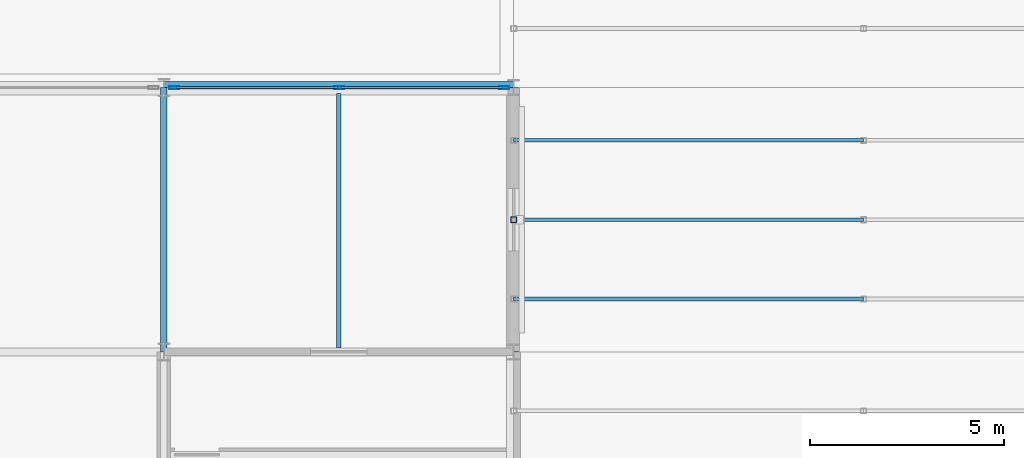
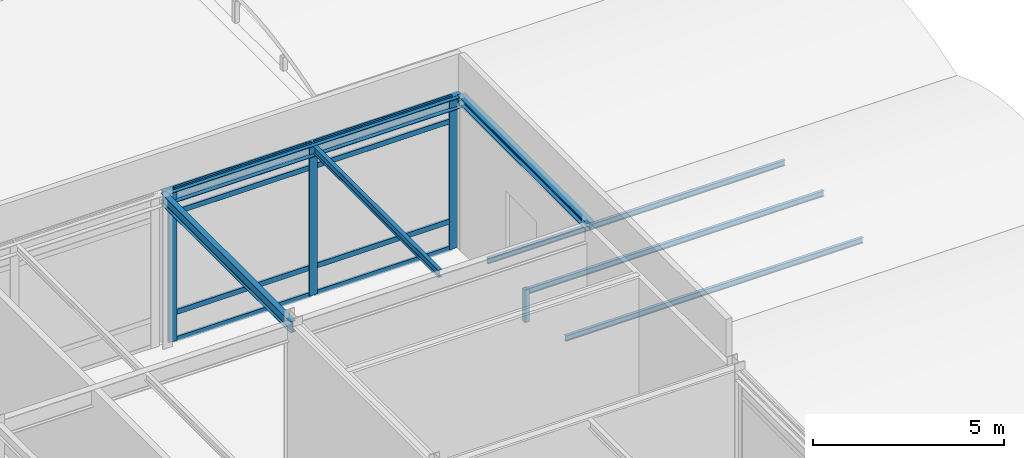
# One storey, part 73 of 113: 15 members, 4 beams, 1 element without a shape of its own.
"""IFC4 building model written with IfcOpenShell, lengths in metres."""

import ifcopenshell
import ifcopenshell.guid

model = None  # the IFC model being written
_history = None  # IfcOwnerHistory: only IFC2X3 demands one
_inside = {}  # id of a spatial element -> (the spatial element, [elements in it])
_under = {}  # id of a project, library or spatial element -> (it, [spatial elements below it])
_declared = {}  # id of a project -> (the project, [libraries it declares])
_typed = {}  # id of a type object -> (the type object, [elements of that type])
_made_of = {}  # id of a material, layer set ... -> (it, [elements and type objects made of it])


def new_model(schema):
    """Start an empty IFC model of exactly this schema.

    Asked for "IFC4X3", IfcOpenShell would pick the latest addendum, in which some entities
    have other attributes; the version numbers below select the first issue.
    IFC2X3 requires an IfcOwnerHistory on every rooted entity: one is made here for all.
    """
    global model, _history
    if schema == "IFC4X3":
        model = ifcopenshell.file(schema_version=(4, 3, 0, 0))
    else:
        model = ifcopenshell.file(schema=schema)
    _inside.clear()
    _under.clear()
    _declared.clear()
    _typed.clear()
    _made_of.clear()
    _history = None
    if model.schema == "IFC2X3":
        org = make("IfcOrganization", Name="unknown")
        user = make(
            "IfcPersonAndOrganization",
            ThePerson=make("IfcPerson", FamilyName="unknown"),
            TheOrganization=org,
        )
        app = make(
            "IfcApplication",
            ApplicationDeveloper=org,
            Version="unknown",
            ApplicationFullName="unknown",
            ApplicationIdentifier="unknown",
        )
        _history = make(
            "IfcOwnerHistory",
            OwningUser=user,
            OwningApplication=app,
            ChangeAction="ADDED",
            CreationDate=0,
        )
    return model


def make(cls, **values):
    """One entity of the class cls with the attributes given. An attribute that is None is left unset."""
    return model.create_entity(
        cls, **{name: value for name, value in values.items() if value is not None}
    )


def rooted(cls, **values):
    """An entity with a GlobalId (a new one), such as an element, a storey or a relation."""
    return make(cls, GlobalId=ifcopenshell.guid.new(), OwnerHistory=_history, **values)


def si_unit(unit_type, name, prefix=None):
    """IfcSIUnit, for example si_unit("LENGTHUNIT", "METRE", prefix="MILLI")."""
    return make("IfcSIUnit", UnitType=unit_type, Prefix=prefix, Name=name)


def assignment(units):
    """IfcUnitAssignment: the units of a project."""
    return None if units is None else make("IfcUnitAssignment", Units=units)


def point(xyz):
    """IfcCartesianPoint."""
    return None if xyz is None else make("IfcCartesianPoint", Coordinates=xyz)


def direction(xyz):
    """IfcDirection."""
    return None if xyz is None else make("IfcDirection", DirectionRatios=xyz)


def frame(location, z_axis=None, x_axis=None):
    """IfcAxis2Placement3D, a coordinate frame: its origin and axes. An axis left out is left unset."""
    return make(
        "IfcAxis2Placement3D",
        Location=point(location),
        Axis=direction(z_axis),
        RefDirection=direction(x_axis),
    )


def frame_2d(location, x_axis=None):
    """IfcAxis2Placement2D, a coordinate frame in the plane: its origin and x axis."""
    return make(
        "IfcAxis2Placement2D", Location=point(location), RefDirection=direction(x_axis)
    )


def origin():
    """The frame at (0, 0, 0) with its axes left unset."""
    return frame((0.0, 0.0, 0.0))


def origin_2d():
    """The frame at (0, 0) in the plane with its x axis left unset."""
    return frame_2d((0.0, 0.0))


def place(relative_to, where):
    """IfcLocalPlacement: puts the frame where relative to a parent placement (None: the world)."""
    return make(
        "IfcLocalPlacement", PlacementRelTo=relative_to, RelativePlacement=where
    )


def context(
    kind, dimensions, precision=None, world=None, true_north=None, identifier=None
):
    """IfcGeometricRepresentationContext, for example the 3D "Model" context."""
    return make(
        "IfcGeometricRepresentationContext",
        ContextIdentifier=identifier,
        ContextType=kind,
        CoordinateSpaceDimension=dimensions,
        Precision=precision,
        WorldCoordinateSystem=world,
        TrueNorth=true_north,
    )


def subcontext(parent, identifier, kind, view, scale=None):
    """IfcGeometricRepresentationSubContext, for example "Body" below "Model"."""
    return make(
        "IfcGeometricRepresentationSubContext",
        ContextIdentifier=identifier,
        ContextType=kind,
        ParentContext=parent,
        TargetScale=scale,
        TargetView=view,
    )


def project(units=None, contexts=None):
    """IfcProject with its units and contexts."""
    return rooted(
        "IfcProject",
        Name="project",
        RepresentationContexts=contexts,
        UnitsInContext=assignment(units),
    )


def spatial(cls, under=None, at=None, **own):
    """A site, building, storey or space (cls), placed at a placement, below another one or the project."""
    s = rooted(cls, ObjectPlacement=at, **own)
    if under is not None:
        _under.setdefault(under.id(), (under, []))[1].append(s)
    return s


def profile(cls, at=None, kind="AREA", **sizes):
    """A parametric profile (cls). Its sizes go by their IFC names, for example OverallWidth=200.0."""
    return make(cls, ProfileType=kind, Position=at, **sizes)


def hollow_rectangle(**sizes):
    """IfcRectangleHollowProfileDef."""
    return profile("IfcRectangleHollowProfileDef", **sizes)


def i_section(**sizes):
    """IfcIShapeProfileDef."""
    return profile("IfcIShapeProfileDef", **sizes)


def extrude(swept, where, along, depth):
    """IfcExtrudedAreaSolid: the profile swept, set in the frame where, extruded along a direction by depth."""
    return make(
        "IfcExtrudedAreaSolid",
        SweptArea=swept,
        Position=where,
        ExtrudedDirection=direction(along),
        Depth=depth,
    )


def shape(context_of_items, identifier, shape_type, items):
    """IfcShapeRepresentation: the items that make up one representation, for example the "Body"."""
    return make(
        "IfcShapeRepresentation",
        ContextOfItems=context_of_items,
        RepresentationIdentifier=identifier,
        RepresentationType=shape_type,
        Items=items,
    )


def material(Name=None, Category=None):
    """IfcMaterial."""
    return make("IfcMaterial", Name=Name, Category=Category)


def layer(
    of_material, thickness, ventilated=None, Name=None, Category=None, Priority=None
):
    """IfcMaterialLayer: one layer of a wall or slab, of a material (None: an air gap)."""
    return make(
        "IfcMaterialLayer",
        Material=of_material,
        LayerThickness=thickness,
        IsVentilated=ventilated,
        Name=Name,
        Category=Category,
        Priority=Priority,
    )


def layer_set(layers, Name=None):
    """IfcMaterialLayerSet."""
    return make("IfcMaterialLayerSet", MaterialLayers=layers, LayerSetName=Name)


def material_profile(
    of_material, cross_section, Name=None, Category=None, Priority=None
):
    """IfcMaterialProfile: a cross section and its material."""
    return make(
        "IfcMaterialProfile",
        Name=Name,
        Material=of_material,
        Profile=cross_section,
        Priority=Priority,
        Category=Category,
    )


def profile_set(profiles, Name=None, composite=None):
    """IfcMaterialProfileSet."""
    return make(
        "IfcMaterialProfileSet",
        Name=Name,
        MaterialProfiles=profiles,
        CompositeProfile=composite,
    )


def made_of(thing, what):
    """Note that an element or type object is made of a material, layer set ...; save() writes the relation."""
    if what is not None:
        _made_of.setdefault(what.id(), (what, []))[1].append(thing)
    return thing


def type_object(cls, material=None, **own):
    """A type object (cls), such as IfcWallType, which elements share."""
    return made_of(rooted(cls, **own), material)


def element(
    cls,
    number,
    at=None,
    inside=None,
    cuts=None,
    type_object=None,
    material=None,
    context=None,
    identifier="Body",
    shape_type=None,
    held_by="IfcProductDefinitionShape",
    body=None,
    shapes=None,
    **own,
):
    """One element of the class cls, such as IfcWall. Its Tag is "e" and its number.

    at: its placement. inside: the storey or other place that contains it. cuts: it is an
    opening in that element (IfcRelVoidsElement). A single representation is given by context,
    identifier, shape_type and body (its items); several are given by shapes. held_by: the class
    of the entity that holds the representations. save() writes the other relations.
    """
    e = rooted(cls, Tag="e%d" % number, ObjectPlacement=at, **own)
    if body is not None:
        shapes = [shape(context, identifier, shape_type, body)]
    if shapes is not None:
        e.Representation = make(held_by, Representations=shapes)
    if inside is not None:
        _inside.setdefault(inside.id(), (inside, []))[1].append(e)
    if cuts is not None:
        rooted(
            "IfcRelVoidsElement", RelatingBuildingElement=cuts, RelatedOpeningElement=e
        )
    if type_object is not None:
        _typed.setdefault(type_object.id(), (type_object, []))[1].append(e)
    return made_of(e, material)


def aggregate(whole, parts):
    """IfcRelAggregates: a whole, such as a stair, and the parts it consists of."""
    return rooted("IfcRelAggregates", RelatingObject=whole, RelatedObjects=parts)


def save(model, path):
    """Write the relations noted so far, then the file.

    IfcRelAggregates (storeys below a building ...), IfcRelContainedInSpatialStructure (elements
    in a storey), IfcRelDefinesByType, IfcRelAssociatesMaterial and IfcRelDeclares: one each for
    every whole, place, type object, material and project.
    """
    for whole, parts in _under.values():
        aggregate(whole, parts)
    for where, things in _inside.values():
        rooted(
            "IfcRelContainedInSpatialStructure",
            RelatedElements=things,
            RelatingStructure=where,
        )
    for kind, things in _typed.values():
        rooted("IfcRelDefinesByType", RelatedObjects=things, RelatingType=kind)
    for what, things in _made_of.values():
        rooted("IfcRelAssociatesMaterial", RelatedObjects=things, RelatingMaterial=what)
    for by, libraries in _declared.values():
        rooted("IfcRelDeclares", RelatingContext=by, RelatedDefinitions=libraries)
    model.write(path)


model = new_model("IFC4")

# Units and contexts
model_context = context("Model", 3, precision=1e-05, world=origin(), true_north=direction((0.0, 1.0)))
body_context = subcontext(model_context, "Body", "Model", "MODEL_VIEW")
ifc_project = project(units=[si_unit("LENGTHUNIT", "METRE"), si_unit("AREAUNIT", "SQUARE_METRE"), si_unit("VOLUMEUNIT", "CUBIC_METRE"), si_unit("PLANEANGLEUNIT", "RADIAN"), si_unit("MASSUNIT", "GRAM", prefix="KILO")], contexts=[model_context])

# Site, building, storey
site_placement = place(None, origin())
site = spatial("IfcSite", under=ifc_project, at=site_placement, CompositionType="ELEMENT")
building_placement = place(site_placement, origin())
building = spatial("IfcBuilding", under=site, at=building_placement, Name="Shalkamar Park Central Library", CompositionType="ELEMENT")
storey_placement = place(building_placement, frame((0.0, 0.0, 5.39990234375)))
storey = spatial("IfcBuildingStorey", under=building, at=storey_placement, Name="L02", CompositionType="ELEMENT", Elevation=5.39990234375)

# Beam
ifc_material_1 = material(Name="Steel S355", Category="steel")
ifc_material_profile_1 = material_profile(ifc_material_1, i_section(OverallWidth=0.1201171875, OverallDepth=0.239990234375, WebThickness=0.006103515625, FlangeThickness=0.009765625, FilletRadius=0.014892578125, at=origin_2d()), Name="IPE 240")
ifc_profile_set_1 = profile_set([ifc_material_profile_1], Name="Steel S355")
beam_type_1 = type_object("IfcBeamType", Name="Composite Floor Joist IPE240", PredefinedType="JOIST", material=ifc_profile_set_1)
beam_1_placement = place(storey_placement, frame((268.5, 331.302978515625, 4.72998046875), z_axis=(0.0, 1.0, 0.0), x_axis=(-1.0, 0.0, 0.0)))
element("IfcBeam", 1, at=beam_1_placement, inside=storey, type_object=beam_type_1, Name="Composite Joist 19/N-1 (L02)", PredefinedType="JOIST", context=body_context, shape_type="SweptSolid", body=[
    extrude(i_section(OverallWidth=0.1201171875, OverallDepth=0.239990234375, WebThickness=0.006103515625, FlangeThickness=0.009765625, FilletRadius=0.014892578125, at=origin_2d()), origin(), (0.0, 0.0, 1.0), 6.549072265625),
])

# Curtain wall, members
ifc_material_2 = material(Name="Thermally broken aluminium and triple low-e curtain wall", Category="aluminium")
ifc_layer = layer(ifc_material_2, 0.2548828125)
ifc_layer_set = layer_set([ifc_layer], Name="UnitisedCurtainWall_35")
curtain_wall_type = type_object("IfcCurtainWallType", Name="Unitised Curtain Wall 35", PredefinedType="USERDEFINED", material=ifc_layer_set)
curtain_wall_placement = place(storey_placement, origin())
curtain_wall = element("IfcCurtainWall", 2, at=curtain_wall_placement, inside=storey, type_object=curtain_wall_type, Name="Unitised Curtain Wall CW-L02-039", ObjectType="UNITISED CURTAIN WALL", PredefinedType="USERDEFINED")
ifc_material_3 = material(Name="Aluminium 6060-T66", Category="aluminium")
ifc_material_profile_2 = material_profile(ifc_material_3, hollow_rectangle(XDim=0.080078125, YDim=0.2548828125, WallThickness=0.00439453125, InnerFilletRadius=0.00439453125, OuterFilletRadius=0.0068359375, at=origin_2d()), Name="ALU 80x255x4.5")
ifc_profile_set_2 = profile_set([ifc_material_profile_2], Name="Aluminium 6060-T66")
member_type_1 = type_object("IfcMemberType", Name="Curtain Wall Mullion ALU80x255", PredefinedType="MULLION", material=ifc_profile_set_2)
member_1_placement = place(storey_placement, frame((264.26904296875, 338.0, 0.0), z_axis=(0.0, 0.0, 1.0), x_axis=(0.0, 1.0, 0.0)))
member_1 = element("IfcMember", 3, at=member_1_placement, type_object=member_type_1, Name="CW-35 mullion 1", PredefinedType="MULLION", context=body_context, shape_type="SweptSolid", body=[
    extrude(hollow_rectangle(XDim=0.080078125, YDim=0.2548828125, WallThickness=0.00439453125, InnerFilletRadius=0.00439453125, OuterFilletRadius=0.0068359375, at=origin_2d()), origin(), (0.0, 0.0, 1.0), 4.85009765625),
])
member_2_placement = place(storey_placement, frame((268.512451171875, 338.0, 0.0), z_axis=(0.0, 0.0, 1.0), x_axis=(0.0, 1.0, 0.0)))
member_2 = element("IfcMember", 4, at=member_2_placement, type_object=member_type_1, Name="CW-35 mullion 2", PredefinedType="MULLION", context=body_context, shape_type="SweptSolid", body=[
    extrude(hollow_rectangle(XDim=0.080078125, YDim=0.2548828125, WallThickness=0.00439453125, InnerFilletRadius=0.00439453125, OuterFilletRadius=0.0068359375, at=origin_2d()), origin(), (0.0, 0.0, 1.0), 4.85009765625),
])
member_3_placement = place(storey_placement, frame((272.756103515625, 338.0, 0.0), z_axis=(0.0, 0.0, 1.0), x_axis=(0.0, 1.0, 0.0)))
member_3 = element("IfcMember", 5, at=member_3_placement, type_object=member_type_1, Name="CW-35 mullion 3", PredefinedType="MULLION", context=body_context, shape_type="SweptSolid", body=[
    extrude(hollow_rectangle(XDim=0.080078125, YDim=0.2548828125, WallThickness=0.00439453125, InnerFilletRadius=0.00439453125, OuterFilletRadius=0.0068359375, at=origin_2d()), origin(), (0.0, 0.0, 1.0), 4.85009765625),
])
ifc_material_profile_3 = material_profile(ifc_material_3, hollow_rectangle(XDim=0.06494140625, YDim=0.169921875, WallThickness=0.00390625, InnerFilletRadius=0.00390625, OuterFilletRadius=0.006103515625, at=origin_2d()), Name="ALU 65x170x4")
ifc_profile_set_3 = profile_set([ifc_material_profile_3], Name="Aluminium 6060-T66")
member_type_2 = type_object("IfcMemberType", Name="Curtain Wall Transom ALU65x170", PredefinedType="USERDEFINED", material=ifc_profile_set_3)
member_4_placement = place(storey_placement, frame((264.30908203125, 338.0, 0.03271484375), z_axis=(1.0, 0.0, 0.0), x_axis=(0.0, 1.0, 0.0)))
member_4 = element("IfcMember", 6, at=member_4_placement, type_object=member_type_2, Name="CW-35 transom 1.1", ObjectType="TRANSOM", PredefinedType="USERDEFINED", context=body_context, shape_type="SweptSolid", body=[
    extrude(hollow_rectangle(XDim=0.06494140625, YDim=0.169921875, WallThickness=0.00390625, InnerFilletRadius=0.00390625, OuterFilletRadius=0.006103515625, at=origin_2d()), origin(), (0.0, 0.0, 1.0), 4.163330078125),
])
member_5_placement = place(storey_placement, frame((264.30908203125, 338.0, 0.900146484375), z_axis=(1.0, 0.0, 0.0), x_axis=(0.0, 1.0, 0.0)))
member_5 = element("IfcMember", 7, at=member_5_placement, type_object=member_type_2, Name="CW-35 transom 1.2", ObjectType="TRANSOM", PredefinedType="USERDEFINED", context=body_context, shape_type="SweptSolid", body=[
    extrude(hollow_rectangle(XDim=0.06494140625, YDim=0.169921875, WallThickness=0.00390625, InnerFilletRadius=0.00390625, OuterFilletRadius=0.006103515625, at=origin_2d()), origin(), (0.0, 0.0, 1.0), 4.163330078125),
])
member_6_placement = place(storey_placement, frame((264.30908203125, 338.0, 4.10009765625), z_axis=(1.0, 0.0, 0.0), x_axis=(0.0, 1.0, 0.0)))
member_6 = element("IfcMember", 8, at=member_6_placement, type_object=member_type_2, Name="CW-35 transom 1.3", ObjectType="TRANSOM", PredefinedType="USERDEFINED", context=body_context, shape_type="SweptSolid", body=[
    extrude(hollow_rectangle(XDim=0.06494140625, YDim=0.169921875, WallThickness=0.00390625, InnerFilletRadius=0.00390625, OuterFilletRadius=0.006103515625, at=origin_2d()), origin(), (0.0, 0.0, 1.0), 4.163330078125),
])
member_7_placement = place(storey_placement, frame((264.30908203125, 338.0, 4.817626953125), z_axis=(1.0, 0.0, 0.0), x_axis=(0.0, 1.0, 0.0)))
member_7 = element("IfcMember", 9, at=member_7_placement, type_object=member_type_2, Name="CW-35 transom 1.4", ObjectType="TRANSOM", PredefinedType="USERDEFINED", context=body_context, shape_type="SweptSolid", body=[
    extrude(hollow_rectangle(XDim=0.06494140625, YDim=0.169921875, WallThickness=0.00390625, InnerFilletRadius=0.00390625, OuterFilletRadius=0.006103515625, at=origin_2d()), origin(), (0.0, 0.0, 1.0), 4.163330078125),
])
member_8_placement = place(storey_placement, frame((268.552490234375, 338.0, 0.03271484375), z_axis=(1.0, 0.0, 0.0), x_axis=(0.0, 1.0, 0.0)))
member_8 = element("IfcMember", 10, at=member_8_placement, type_object=member_type_2, Name="CW-35 transom 2.1", ObjectType="TRANSOM", PredefinedType="USERDEFINED", context=body_context, shape_type="SweptSolid", body=[
    extrude(hollow_rectangle(XDim=0.06494140625, YDim=0.169921875, WallThickness=0.00390625, InnerFilletRadius=0.00390625, OuterFilletRadius=0.006103515625, at=origin_2d()), origin(), (0.0, 0.0, 1.0), 4.16357421875),
])
member_9_placement = place(storey_placement, frame((268.552490234375, 338.0, 0.900146484375), z_axis=(1.0, 0.0, 0.0), x_axis=(0.0, 1.0, 0.0)))
member_9 = element("IfcMember", 11, at=member_9_placement, type_object=member_type_2, Name="CW-35 transom 2.2", ObjectType="TRANSOM", PredefinedType="USERDEFINED", context=body_context, shape_type="SweptSolid", body=[
    extrude(hollow_rectangle(XDim=0.06494140625, YDim=0.169921875, WallThickness=0.00390625, InnerFilletRadius=0.00390625, OuterFilletRadius=0.006103515625, at=origin_2d()), origin(), (0.0, 0.0, 1.0), 4.16357421875),
])
member_10_placement = place(storey_placement, frame((268.552490234375, 338.0, 4.10009765625), z_axis=(1.0, 0.0, 0.0), x_axis=(0.0, 1.0, 0.0)))
member_10 = element("IfcMember", 12, at=member_10_placement, type_object=member_type_2, Name="CW-35 transom 2.3", ObjectType="TRANSOM", PredefinedType="USERDEFINED", context=body_context, shape_type="SweptSolid", body=[
    extrude(hollow_rectangle(XDim=0.06494140625, YDim=0.169921875, WallThickness=0.00390625, InnerFilletRadius=0.00390625, OuterFilletRadius=0.006103515625, at=origin_2d()), origin(), (0.0, 0.0, 1.0), 4.16357421875),
])
member_11_placement = place(storey_placement, frame((268.552490234375, 338.0, 4.817626953125), z_axis=(1.0, 0.0, 0.0), x_axis=(0.0, 1.0, 0.0)))
member_11 = element("IfcMember", 13, at=member_11_placement, type_object=member_type_2, Name="CW-35 transom 2.4", ObjectType="TRANSOM", PredefinedType="USERDEFINED", context=body_context, shape_type="SweptSolid", body=[
    extrude(hollow_rectangle(XDim=0.06494140625, YDim=0.169921875, WallThickness=0.00390625, InnerFilletRadius=0.00390625, OuterFilletRadius=0.006103515625, at=origin_2d()), origin(), (0.0, 0.0, 1.0), 4.16357421875),
])
aggregate(curtain_wall, [member_1, member_2, member_3, member_4, member_5, member_6, member_7, member_8, member_9, member_10, member_11])

# Member
ifc_material_profile_4 = material_profile(ifc_material_1, hollow_rectangle(XDim=0.14990234375, YDim=0.14990234375, WallThickness=0.008056640625, InnerFilletRadius=0.008056640625, OuterFilletRadius=0.011962890625, at=origin_2d()), Name="SHS 150x150x8")
ifc_profile_set_4 = profile_set([ifc_material_profile_4], Name="Steel S355")
member_type_3 = type_object("IfcMemberType", Name="Diagonal Brace SHS150", PredefinedType="BRACE", material=ifc_profile_set_4)
member_12_placement = place(storey_placement, frame((273.0, 334.60009765625, -0.35986328125), z_axis=(0.0, 0.0, 1.0), x_axis=(1.0, 0.0, 0.0)))
element("IfcMember", 14, at=member_12_placement, inside=storey, type_object=member_type_3, Name="Vault Arch Post BV-L01-E10-20.2", PredefinedType="BRACE", context=body_context, shape_type="SweptSolid", body=[
    extrude(hollow_rectangle(XDim=0.14990234375, YDim=0.14990234375, WallThickness=0.008056640625, InnerFilletRadius=0.008056640625, OuterFilletRadius=0.011962890625, at=origin_2d()), origin(), (0.0, 0.0, 1.0), 1.0400390625),
])

# Beams
ifc_material_profile_5 = material_profile(ifc_material_1, i_section(OverallWidth=0.239990234375, OverallDepth=0.22998046875, WebThickness=0.007568359375, FlangeThickness=0.011962890625, FilletRadius=0.02099609375, at=origin_2d()), Name="HEA 240")
ifc_profile_set_5 = profile_set([ifc_material_profile_5], Name="Steel S355")
beam_type_2 = type_object("IfcBeamType", Name="Perimeter Spandrel Beam HEA240", PredefinedType="SPANDREL", material=ifc_profile_set_5)
beam_2_placement = place(storey_placement, frame((273.0, 331.199951171875, 4.735107421875), z_axis=(0.0, 1.0, 0.0), x_axis=(-1.0, 0.0, 0.0)))
element("IfcBeam", 15, at=beam_2_placement, inside=storey, type_object=beam_type_2, Name="Beam 20:N-P (L02)", PredefinedType="SPANDREL", context=body_context, shape_type="SweptSolid", body=[
    extrude(i_section(OverallWidth=0.239990234375, OverallDepth=0.22998046875, WebThickness=0.007568359375, FlangeThickness=0.011962890625, FilletRadius=0.02099609375, at=origin_2d()), origin(), (0.0, 0.0, 1.0), 6.800048828125),
])
ifc_material_profile_6 = material_profile(ifc_material_1, i_section(OverallWidth=0.300048828125, OverallDepth=0.35009765625, WebThickness=0.010009765625, FlangeThickness=0.017578125, FilletRadius=0.027099609375, at=origin_2d()), Name="HEA 360")
ifc_profile_set_6 = profile_set([ifc_material_profile_6], Name="Steel S355")
beam_type_3 = type_object("IfcBeamType", Name="Perimeter Spandrel Beam HEA360", PredefinedType="SPANDREL", material=ifc_profile_set_6)
beam_3_placement = place(storey_placement, frame((264.0, 338.0, 4.675048828125), z_axis=(1.0, 0.0, 0.0), x_axis=(0.0, 1.0, 0.0)))
element("IfcBeam", 16, at=beam_3_placement, inside=storey, type_object=beam_type_3, Name="Beam P:19-20 (L02)", PredefinedType="SPANDREL", context=body_context, shape_type="SweptSolid", body=[
    extrude(i_section(OverallWidth=0.300048828125, OverallDepth=0.35009765625, WebThickness=0.010009765625, FlangeThickness=0.017578125, FilletRadius=0.027099609375, at=origin_2d()), origin(), (0.0, 0.0, 1.0), 9.0),
])
ifc_material_profile_7 = material_profile(ifc_material_1, i_section(OverallWidth=0.169921875, OverallDepth=0.360107421875, WebThickness=0.008056640625, FlangeThickness=0.0126953125, FilletRadius=0.01806640625, at=origin_2d()), Name="IPE 360")
ifc_profile_set_7 = profile_set([ifc_material_profile_7], Name="Steel S355")
beam_type_4 = type_object("IfcBeamType", Name="Primary Girder IPE360", PredefinedType="BEAM", material=ifc_profile_set_7)
beam_4_placement = place(storey_placement, frame((264.0, 331.199951171875, 4.670166015625), z_axis=(0.0, 1.0, 0.0), x_axis=(-1.0, 0.0, 0.0)))
element("IfcBeam", 17, at=beam_4_placement, inside=storey, type_object=beam_type_4, Name="Beam 19:N-P (L02)", PredefinedType="BEAM", context=body_context, shape_type="SweptSolid", body=[
    extrude(i_section(OverallWidth=0.169921875, OverallDepth=0.360107421875, WebThickness=0.008056640625, FlangeThickness=0.0126953125, FilletRadius=0.01806640625, at=origin_2d()), origin(), (0.0, 0.0, 1.0), 6.800048828125),
])

# Members
ifc_material_profile_8 = material_profile(ifc_material_1, i_section(OverallWidth=0.091064453125, OverallDepth=0.179931640625, WebThickness=0.00537109375, FlangeThickness=0.008056640625, FilletRadius=0.009033203125, at=origin_2d()), Name="IPE 180")
ifc_profile_set_8 = profile_set([ifc_material_profile_8], Name="Steel S355")
member_type_4 = type_object("IfcMemberType", Name="Roof Purlin IPE180", PredefinedType="PURLIN", material=ifc_profile_set_8)
for number, where, z_axis, x_axis, name in (
    (18, (273.0, 332.56005859375, 0.330810546875), (1.0, 0.0, 0.0), (0.0, 1.0, 0.0), "Barrel Roof Purlin BV-L01-E10-1.20"),
    (19, (273.0, 334.60009765625, 0.590087890625), (1.0, 0.0, 0.0), (0.0, 1.0, 0.0), "Barrel Roof Purlin BV-L01-E10-2.20"),
    (20, (273.0, 336.639892578125, 0.330810546875), (1.0, 0.0, 0.0), (0.0, 1.0, 0.0), "Barrel Roof Purlin BV-L01-E10-3.20"),
):
    element("IfcMember", number, at=place(storey_placement, frame(where, z_axis=z_axis, x_axis=x_axis)), inside=storey, type_object=member_type_4, Name=name, PredefinedType="PURLIN", context=body_context, shape_type="SweptSolid", body=[
        extrude(i_section(OverallWidth=0.091064453125, OverallDepth=0.179931640625, WebThickness=0.00537109375, FlangeThickness=0.008056640625, FilletRadius=0.009033203125, at=origin_2d()), origin(), (0.0, 0.0, 1.0), 9.0),
    ])

save(model, "model.ifc")
